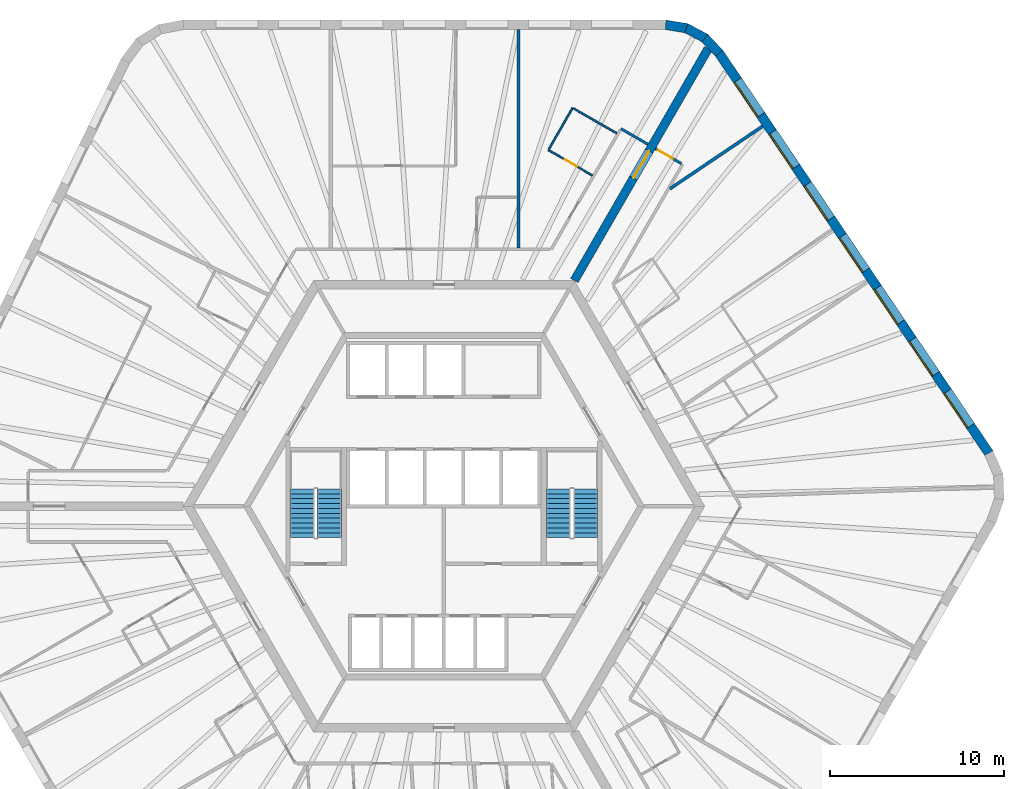
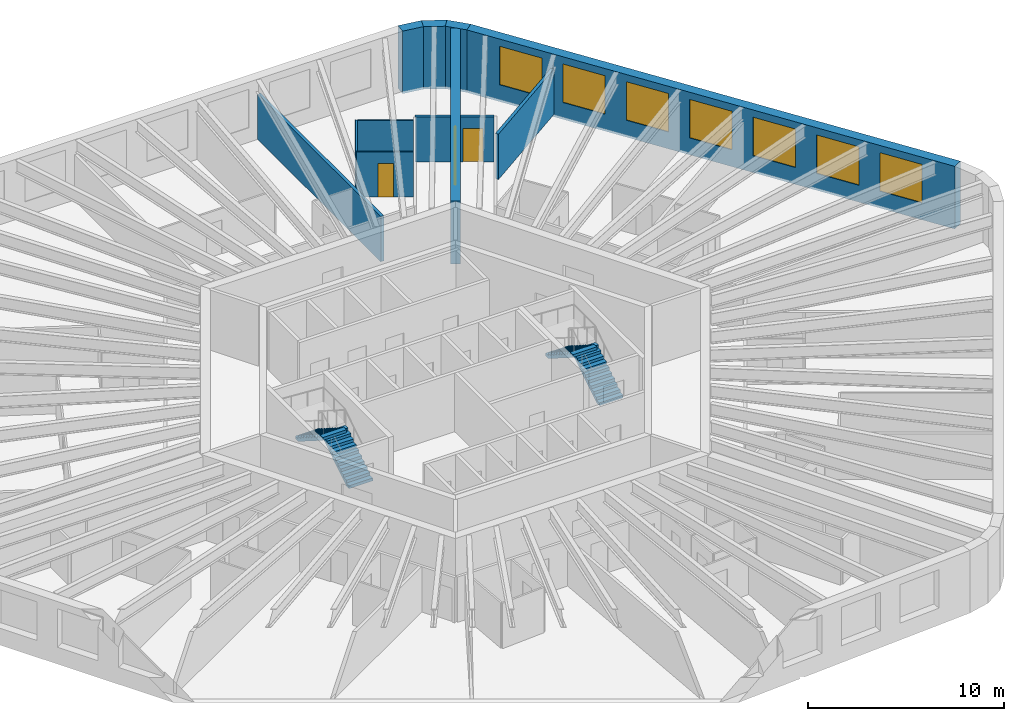
# One storey, part 9 of 10: 12 walls, 7 windows, 4 stair flights, 3 doors, 10 openings, 2 elements without a shape of their own.
"""IFC4 building model written with IfcOpenShell, lengths in metres."""

from ifc_helpers import new_model, si_unit, direction, frame, frame_2d, origin, place, context, subcontext, project, spatial, polyline, rectangle, outline, extrude, material, layer, layer_set, type_object, element, fill, aggregate, save


model = new_model("IFC4")

# Units and contexts
model_context = context("Model", 3, precision=1e-05, world=origin(), true_north=direction((0.0, 1.0)))
body_context = subcontext(model_context, "Body", "Model", "MODEL_VIEW")
ifc_project = project(units=[si_unit("LENGTHUNIT", "METRE"), si_unit("AREAUNIT", "SQUARE_METRE"), si_unit("VOLUMEUNIT", "CUBIC_METRE"), si_unit("PLANEANGLEUNIT", "RADIAN"), si_unit("MASSUNIT", "GRAM", prefix="KILO")], contexts=[model_context])

# Site, building, storey
site_placement = place(None, origin())
site = spatial("IfcSite", under=ifc_project, at=site_placement, CompositionType="ELEMENT")
building_placement = place(site_placement, origin())
building = spatial("IfcBuilding", under=site, at=building_placement, Name="Tarnside Tower", CompositionType="ELEMENT")
storey_placement = place(building_placement, frame((0.0, 0.0, 160.5)))
storey = spatial("IfcBuildingStorey", under=building, at=storey_placement, Name="L37", CompositionType="ELEMENT", Elevation=160.5)

# Wall, opening, door
ifc_material_1 = material(Name="Gypsum board partition on steel studs", Category="steel")
ifc_layer_1 = layer(ifc_material_1, 0.10009765625)
ifc_layer_set_1 = layer_set([ifc_layer_1], Name="Bathroom wall 100")
wall_type_1 = type_object("IfcWallType", Name="Bathroom wall 100", PredefinedType="PARTITIONING", material=ifc_layer_set_1)
wall_1_placement = place(storey_placement, frame((8.546142578125, 19.052490234375, 0.0), z_axis=(0.0, 0.0, 1.0), x_axis=(-0.866046596414, 0.499963291492, 0.0)))
wall_1 = element("IfcWall", 1, at=wall_1_placement, inside=storey, type_object=wall_type_1, Name="Bathroom wall 11048", PredefinedType="PARTITIONING", context=body_context, shape_type="SweptSolid", body=[
    extrude(rectangle(XDim=2.925048828125, YDim=0.10009765625, at=frame_2d((1.46240234375, 0.0))), origin(), (0.0, 0.0, 1.0), 2.823486328125),
])
opening_1_placement = place(wall_1_placement, frame((1.02490234375, 0.0, 0.0)))
opening_1 = element("IfcOpeningElement", 2, at=opening_1_placement, cuts=wall_1, Name="Opening D-B1", PredefinedType="OPENING", context=body_context, shape_type="SweptSolid", body=[
    extrude(rectangle(XDim=0.800048828125, YDim=2.10009765625, at=frame_2d((0.39990234375, 1.050048828125))), frame((0.0, 0.06005859375, 0.0), z_axis=(0.0, -1.0, 0.0), x_axis=(1.0, 0.0, 0.0)), (0.0, 0.0, 1.0), 0.1201171875),
])
ifc_material_2 = material(Name="Timber door leaf", Category="wood")
door_type_1 = type_object("IfcDoorType", Name="Bathroom door 800", OperationType="NOTDEFINED", PredefinedType="DOOR", material=ifc_material_2)
door_1_placement = place(opening_1_placement, origin())
door_1 = element("IfcDoor", 3, at=door_1_placement, inside=storey, type_object=door_type_1, Name="Bathroom door 11002", OperationType="SINGLE_SWING_RIGHT", OverallHeight=2.10009765625, OverallWidth=0.800048828125, PredefinedType="DOOR", context=body_context, shape_type="SweptSolid", body=[
    extrude(rectangle(XDim=0.800048828125, YDim=2.10009765625, at=frame_2d((0.39990234375, 1.050048828125))), frame((0.0, 0.02490234375, 0.0), z_axis=(0.0, -1.0, 0.0), x_axis=(1.0, 0.0, 0.0)), (0.0, 0.0, 1.0), 0.050048828125),
])
fill(opening_1, door_1)

# Walls
wall_2_placement = place(storey_placement, frame((6.0380859375, 20.55810546875, 0.0), z_axis=(0.0, 0.0, 1.0), x_axis=(0.499996545922, 0.866027397988, 0.0)))
element("IfcWall", 4, at=wall_2_placement, inside=storey, type_object=wall_type_1, Name="Bathroom wall 11049", PredefinedType="PARTITIONING", context=body_context, shape_type="SweptSolid", body=[
    extrude(rectangle(XDim=2.75, YDim=0.10009765625, at=frame_2d((1.375, 0.0))), origin(), (0.0, 0.0, 1.0), 2.823486328125),
])
wall_3_placement = place(storey_placement, frame((7.456298828125, 22.914794921875, 0.0), z_axis=(0.0, 0.0, 1.0), x_axis=(0.866018712932, -0.500011588718, 0.0)))
element("IfcWall", 5, at=wall_3_placement, inside=storey, type_object=wall_type_1, Name="Bathroom wall 11050", PredefinedType="PARTITIONING", context=body_context, shape_type="SweptSolid", body=[
    extrude(rectangle(XDim=2.875, YDim=0.10009765625, at=frame_2d((1.4375, 0.0))), origin(), (0.0, 0.0, 1.0), 2.823486328125),
])

# Wall, opening, door
ifc_material_3 = material(Name="Concrete C70/85", Category="concrete")
ifc_layer_2 = layer(ifc_material_3, 0.5)
ifc_layer_set_2 = layer_set([ifc_layer_2], Name="Core wall Z2 500 C70/85")
wall_type_2 = type_object("IfcWallType", Name="Core wall Z2 500 C70/85", PredefinedType="SHEAR", material=ifc_layer_set_2)
wall_4_placement = place(storey_placement, frame((7.505615234375, 13.0, -0.14990234375), z_axis=(0.0, 0.0, 1.0), x_axis=(0.499988271576, 0.866032175087, 0.0)))
wall_4 = element("IfcWall", 6, at=wall_4_placement, inside=storey, type_object=wall_type_2, Name="L37 spine wall 1", PredefinedType="SHEAR", context=body_context, shape_type="SweptSolid", body=[
    extrude(rectangle(XDim=15.423583984375, YDim=0.5, at=frame_2d((7.7119140625, 0.0))), origin(), (0.0, 0.0, 1.0), 3.89990234375),
])
opening_2_placement = place(wall_4_placement, frame((6.811767578125, 0.0, 0.14990234375)))
opening_2 = element("IfcOpeningElement", 7, at=opening_2_placement, cuts=wall_4, Name="Opening CD-SPN", PredefinedType="OPENING", context=body_context, shape_type="SweptSolid", body=[
    extrude(rectangle(XDim=1.800048828125, YDim=2.39990234375, at=frame_2d((0.89990234375, 1.199951171875))), frame((0.0, 0.260009765625, 0.0), z_axis=(0.0, -1.0, 0.0), x_axis=(1.0, 0.0, 0.0)), (0.0, 0.0, 1.0), 0.52001953125),
])
ifc_material_4 = material(Name="Steel fire door", Category="steel")
door_type_2 = type_object("IfcDoorType", Name="Spine passage double door FD60 1800x2400", OperationType="NOTDEFINED", PredefinedType="DOOR", material=ifc_material_4)
door_2_placement = place(opening_2_placement, origin())
door_2 = element("IfcDoor", 8, at=door_2_placement, inside=storey, type_object=door_type_2, Name="L37 spine passage door 1", OperationType="DOUBLE_DOOR_SINGLE_SWING", OverallHeight=2.39990234375, OverallWidth=1.800048828125, PredefinedType="DOOR", context=body_context, shape_type="SweptSolid", body=[
    extrude(rectangle(XDim=1.800048828125, YDim=2.39990234375, at=frame_2d((0.89990234375, 1.199951171875))), frame((0.0, 0.02490234375, 0.0), z_axis=(0.0, -1.0, 0.0), x_axis=(1.0, 0.0, 0.0)), (0.0, 0.0, 1.0), 0.050048828125),
])
fill(opening_2, door_2)

# Wall
ifc_layer_3 = layer(ifc_material_1, 0.14990234375)
ifc_layer_set_3 = layer_set([ifc_layer_3], Name="Corridor wall 150 EI 60")
wall_type_3 = type_object("IfcWallType", Name="Corridor wall 150 EI 60", PredefinedType="PARTITIONING", material=ifc_layer_set_3)
wall_5_placement = place(storey_placement, frame((11.744873046875, 20.8427734375, 0.0), z_axis=(0.0, 0.0, 1.0), x_axis=(-0.865989075817, 0.500062916607, 0.0)))
element("IfcWall", 9, at=wall_5_placement, inside=storey, type_object=wall_type_3, Name="Corridor wall 11003", PredefinedType="PARTITIONING", context=body_context, shape_type="SweptSolid", body=[
    extrude(rectangle(XDim=1.800048828125, YDim=0.14990234375, at=frame_2d((0.89990234375, 0.0))), origin(), (0.0, 0.0, 1.0), 2.823486328125),
])

# Wall, opening, door
wall_6_placement = place(storey_placement, frame((13.671875, 19.73046875, 0.0), z_axis=(0.0, 0.0, 1.0), x_axis=(-0.866074815912, 0.499914405916, 0.0)))
wall_6 = element("IfcWall", 10, at=wall_6_placement, inside=storey, type_object=wall_type_3, Name="Corridor wall 11047", PredefinedType="PARTITIONING", context=body_context, shape_type="SweptSolid", body=[
    extrude(rectangle(XDim=1.724853515625, YDim=0.14990234375, at=frame_2d((0.8623046875, 0.0))), origin(), (0.0, 0.0, 1.0), 2.823486328125),
])
opening_3_placement = place(wall_6_placement, frame((0.574951171875, 0.0, 0.0)))
opening_3 = element("IfcOpeningElement", 11, at=opening_3_placement, cuts=wall_6, Name="Opening D-E1", PredefinedType="OPENING", context=body_context, shape_type="SweptSolid", body=[
    extrude(rectangle(XDim=1.0, YDim=2.10009765625, at=frame_2d((0.5, 1.050048828125))), frame((0.0, 0.0849609375, 0.0), z_axis=(0.0, -1.0, 0.0), x_axis=(1.0, 0.0, 0.0)), (0.0, 0.0, 1.0), 0.169921875),
])
door_type_3 = type_object("IfcDoorType", Name="Unit entrance door 1000 FD30S", OperationType="NOTDEFINED", PredefinedType="DOOR", material=ifc_material_2)
door_3_placement = place(opening_3_placement, origin())
door_3 = element("IfcDoor", 12, at=door_3_placement, inside=storey, type_object=door_type_3, Name="Unit door 11037", OperationType="SINGLE_SWING_LEFT", OverallHeight=2.10009765625, OverallWidth=1.0, PredefinedType="DOOR", context=body_context, shape_type="SweptSolid", body=[
    extrude(rectangle(XDim=1.0, YDim=2.10009765625, at=frame_2d((0.5, 1.050048828125))), frame((0.0, 0.02490234375, 0.0), z_axis=(0.0, -1.0, 0.0), x_axis=(1.0, 0.0, 0.0)), (0.0, 0.0, 1.0), 0.050048828125),
])
fill(opening_3, door_3)

# Walls
ifc_layer_4 = layer(ifc_material_1, 0.179931640625)
ifc_layer_set_4 = layer_set([ifc_layer_4], Name="Demising wall 180 EI 60")
wall_type_4 = type_object("IfcWallType", Name="Demising wall 180 EI 60", PredefinedType="PARTITIONING", material=ifc_layer_set_4)
wall_7_placement = place(storey_placement, frame((4.2822265625, 27.449951171875, 0.0), z_axis=(0.0, 0.0, 1.0), x_axis=(0.0, -1.0, 0.0)))
element("IfcWall", 13, at=wall_7_placement, inside=storey, type_object=wall_type_4, Name="Demising wall 11051", PredefinedType="PARTITIONING", context=body_context, shape_type="SweptSolid", body=[
    extrude(rectangle(XDim=12.574951171875, YDim=0.179931640625, at=frame_2d((6.28759765625, 0.0))), origin(), (0.0, 0.0, 1.0), 2.823486328125),
])
wall_8_placement = place(storey_placement, frame((18.349609375, 21.88427734375, 0.0), z_axis=(0.0, 0.0, 1.0), x_axis=(-0.829047205772, -0.559178621374, 0.0)))
element("IfcWall", 14, at=wall_8_placement, inside=storey, type_object=wall_type_4, Name="Demising wall 11119", PredefinedType="PARTITIONING", context=body_context, shape_type="SweptSolid", body=[
    extrude(rectangle(XDim=6.442138671875, YDim=0.179931640625, at=frame_2d((3.22119140625, 0.0))), origin(), (0.0, 0.0, 1.0), 2.823486328125),
])

# Wall, openings, windows
ifc_material_5 = material(Name="Facing brick", Category="masonry")
ifc_layer_5 = layer(ifc_material_5, 0.10205078125)
ifc_material_6 = material(Name="Concrete C60/75 precast", Category="concrete")
ifc_layer_6 = layer(ifc_material_6, 0.347900390625)
ifc_material_7 = material(Name="Mineral wool insulation")
ifc_layer_7 = layer(ifc_material_7, 0.10009765625)
ifc_layer_set_5 = layer_set([ifc_layer_5, ifc_layer_6, ifc_layer_7], Name="Tube wall 550 brick faced")
wall_type_5 = type_object("IfcWallType", Name="Tube wall 550 brick faced", PredefinedType="SOLIDWALL", material=ifc_layer_set_5)
wall_9_placement = place(storey_placement, frame((31.37109375, 3.070556640625, -0.14990234375), z_axis=(0.0, 0.0, 1.0), x_axis=(-0.559189891278, 0.829039604297, 0.0)))
wall_9 = element("IfcWall", 15, at=wall_9_placement, inside=storey, type_object=wall_type_5, Name="Tube wall L37 F6 flush 20", PredefinedType="SOLIDWALL", context=body_context, shape_type="SweptSolid", body=[
    extrude(outline(polyline([(-0.025634765625, -0.27490234375), (27.780517578125, -0.27490234375), (27.735595703125, 0.27490234375), (0.025634765625, 0.27490234375), (-0.025634765625, -0.27490234375)])), origin(), (0.0, 0.0, 1.0), 3.89990234375),
])
opening_4_placement = place(wall_9_placement, frame((1.87890625, 0.0, 1.050048828125)))
opening_4 = element("IfcOpeningElement", 16, at=opening_4_placement, cuts=wall_9, Name="Opening WH", PredefinedType="OPENING", context=body_context, shape_type="SweptSolid", body=[
    extrude(rectangle(XDim=2.39990234375, YDim=2.39990234375, at=frame_2d((1.199951171875, 1.199951171875))), frame((0.0, 0.28515625, 0.0), z_axis=(0.0, -1.0, 0.0), x_axis=(1.0, 0.0, 0.0)), (0.0, 0.0, 1.0), 0.570068359375),
])
opening_5_placement = place(wall_9_placement, frame((5.47900390625, 0.0, 1.050048828125)))
opening_5 = element("IfcOpeningElement", 17, at=opening_5_placement, cuts=wall_9, Name="Opening WH", PredefinedType="OPENING", context=body_context, shape_type="SweptSolid", body=[
    extrude(rectangle(XDim=2.39990234375, YDim=2.39990234375, at=frame_2d((1.199951171875, 1.199951171875))), frame((0.0, 0.28515625, 0.0), z_axis=(0.0, -1.0, 0.0), x_axis=(1.0, 0.0, 0.0)), (0.0, 0.0, 1.0), 0.570068359375),
])
opening_6_placement = place(wall_9_placement, frame((9.078857421875, 0.0, 1.050048828125)))
opening_6 = element("IfcOpeningElement", 18, at=opening_6_placement, cuts=wall_9, Name="Opening WH", PredefinedType="OPENING", context=body_context, shape_type="SweptSolid", body=[
    extrude(rectangle(XDim=2.39990234375, YDim=2.39990234375, at=frame_2d((1.199951171875, 1.199951171875))), frame((0.0, 0.28515625, 0.0), z_axis=(0.0, -1.0, 0.0), x_axis=(1.0, 0.0, 0.0)), (0.0, 0.0, 1.0), 0.570068359375),
])
opening_7_placement = place(wall_9_placement, frame((12.678955078125, 0.0, 1.050048828125)))
opening_7 = element("IfcOpeningElement", 19, at=opening_7_placement, cuts=wall_9, Name="Opening WH", PredefinedType="OPENING", context=body_context, shape_type="SweptSolid", body=[
    extrude(rectangle(XDim=2.39990234375, YDim=2.39990234375, at=frame_2d((1.199951171875, 1.199951171875))), frame((0.0, 0.28515625, 0.0), z_axis=(0.0, -1.0, 0.0), x_axis=(1.0, 0.0, 0.0)), (0.0, 0.0, 1.0), 0.570068359375),
])
opening_8_placement = place(wall_9_placement, frame((16.27880859375, 0.0, 1.050048828125)))
opening_8 = element("IfcOpeningElement", 20, at=opening_8_placement, cuts=wall_9, Name="Opening WH", PredefinedType="OPENING", context=body_context, shape_type="SweptSolid", body=[
    extrude(rectangle(XDim=2.39990234375, YDim=2.39990234375, at=frame_2d((1.199951171875, 1.199951171875))), frame((0.0, 0.28515625, 0.0), z_axis=(0.0, -1.0, 0.0), x_axis=(1.0, 0.0, 0.0)), (0.0, 0.0, 1.0), 0.570068359375),
])
opening_9_placement = place(wall_9_placement, frame((19.87890625, 0.0, 1.050048828125)))
opening_9 = element("IfcOpeningElement", 21, at=opening_9_placement, cuts=wall_9, Name="Opening WH", PredefinedType="OPENING", context=body_context, shape_type="SweptSolid", body=[
    extrude(rectangle(XDim=2.39990234375, YDim=2.39990234375, at=frame_2d((1.199951171875, 1.199951171875))), frame((0.0, 0.28515625, 0.0), z_axis=(0.0, -1.0, 0.0), x_axis=(1.0, 0.0, 0.0)), (0.0, 0.0, 1.0), 0.570068359375),
])
opening_10_placement = place(wall_9_placement, frame((23.47900390625, 0.0, 1.050048828125)))
opening_10 = element("IfcOpeningElement", 22, at=opening_10_placement, cuts=wall_9, Name="Opening WH", PredefinedType="OPENING", context=body_context, shape_type="SweptSolid", body=[
    extrude(rectangle(XDim=2.39990234375, YDim=2.39990234375, at=frame_2d((1.199951171875, 1.199951171875))), frame((0.0, 0.28515625, 0.0), z_axis=(0.0, -1.0, 0.0), x_axis=(1.0, 0.0, 0.0)), (0.0, 0.0, 1.0), 0.570068359375),
])
ifc_material_8 = material(Name="Aluminium-framed double glazing", Category="aluminium")
window_type = type_object("IfcWindowType", Name="Hotel window 2400 x 2400", PartitioningType="DOUBLE_PANEL_VERTICAL", PredefinedType="WINDOW", material=ifc_material_8)
window_1_placement = place(opening_4_placement, frame((0.0, 0.205078125, 0.0)))
window_1 = element("IfcWindow", 23, at=window_1_placement, inside=storey, type_object=window_type, Name="E.WN.L37.F6.00", OverallHeight=2.39990234375, OverallWidth=2.39990234375, PartitioningType="DOUBLE_PANEL_VERTICAL", PredefinedType="WINDOW", context=body_context, shape_type="SweptSolid", body=[
    extrude(rectangle(XDim=2.39990234375, YDim=2.39990234375, at=frame_2d((1.199951171875, 1.199951171875))), frame((0.0, 0.030029296875, 0.0), z_axis=(0.0, -1.0, 0.0), x_axis=(1.0, 0.0, 0.0)), (0.0, 0.0, 1.0), 0.06005859375),
])
fill(opening_4, window_1)
window_2_placement = place(opening_5_placement, frame((0.0, 0.205078125, 0.0)))
window_2 = element("IfcWindow", 24, at=window_2_placement, inside=storey, type_object=window_type, Name="E.WN.L37.F6.01", OverallHeight=2.39990234375, OverallWidth=2.39990234375, PartitioningType="DOUBLE_PANEL_VERTICAL", PredefinedType="WINDOW", context=body_context, shape_type="SweptSolid", body=[
    extrude(rectangle(XDim=2.39990234375, YDim=2.39990234375, at=frame_2d((1.199951171875, 1.199951171875))), frame((0.0, 0.030029296875, 0.0), z_axis=(0.0, -1.0, 0.0), x_axis=(1.0, 0.0, 0.0)), (0.0, 0.0, 1.0), 0.06005859375),
])
fill(opening_5, window_2)
window_3_placement = place(opening_6_placement, frame((0.0, 0.205078125, 0.0)))
window_3 = element("IfcWindow", 25, at=window_3_placement, inside=storey, type_object=window_type, Name="E.WN.L37.F6.02", OverallHeight=2.39990234375, OverallWidth=2.39990234375, PartitioningType="DOUBLE_PANEL_VERTICAL", PredefinedType="WINDOW", context=body_context, shape_type="SweptSolid", body=[
    extrude(rectangle(XDim=2.39990234375, YDim=2.39990234375, at=frame_2d((1.199951171875, 1.199951171875))), frame((0.0, 0.030029296875, 0.0), z_axis=(0.0, -1.0, 0.0), x_axis=(1.0, 0.0, 0.0)), (0.0, 0.0, 1.0), 0.06005859375),
])
fill(opening_6, window_3)
window_4_placement = place(opening_7_placement, frame((0.0, 0.205078125, 0.0)))
window_4 = element("IfcWindow", 26, at=window_4_placement, inside=storey, type_object=window_type, Name="E.WN.L37.F6.03", OverallHeight=2.39990234375, OverallWidth=2.39990234375, PartitioningType="DOUBLE_PANEL_VERTICAL", PredefinedType="WINDOW", context=body_context, shape_type="SweptSolid", body=[
    extrude(rectangle(XDim=2.39990234375, YDim=2.39990234375, at=frame_2d((1.199951171875, 1.199951171875))), frame((0.0, 0.030029296875, 0.0), z_axis=(0.0, -1.0, 0.0), x_axis=(1.0, 0.0, 0.0)), (0.0, 0.0, 1.0), 0.06005859375),
])
fill(opening_7, window_4)
window_5_placement = place(opening_8_placement, frame((0.0, 0.205078125, 0.0)))
window_5 = element("IfcWindow", 27, at=window_5_placement, inside=storey, type_object=window_type, Name="E.WN.L37.F6.04", OverallHeight=2.39990234375, OverallWidth=2.39990234375, PartitioningType="DOUBLE_PANEL_VERTICAL", PredefinedType="WINDOW", context=body_context, shape_type="SweptSolid", body=[
    extrude(rectangle(XDim=2.39990234375, YDim=2.39990234375, at=frame_2d((1.199951171875, 1.199951171875))), frame((0.0, 0.030029296875, 0.0), z_axis=(0.0, -1.0, 0.0), x_axis=(1.0, 0.0, 0.0)), (0.0, 0.0, 1.0), 0.06005859375),
])
fill(opening_8, window_5)
window_6_placement = place(opening_9_placement, frame((0.0, 0.205078125, 0.0)))
window_6 = element("IfcWindow", 28, at=window_6_placement, inside=storey, type_object=window_type, Name="E.WN.L37.F6.05", OverallHeight=2.39990234375, OverallWidth=2.39990234375, PartitioningType="DOUBLE_PANEL_VERTICAL", PredefinedType="WINDOW", context=body_context, shape_type="SweptSolid", body=[
    extrude(rectangle(XDim=2.39990234375, YDim=2.39990234375, at=frame_2d((1.199951171875, 1.199951171875))), frame((0.0, 0.030029296875, 0.0), z_axis=(0.0, -1.0, 0.0), x_axis=(1.0, 0.0, 0.0)), (0.0, 0.0, 1.0), 0.06005859375),
])
fill(opening_9, window_6)
window_7_placement = place(opening_10_placement, frame((0.0, 0.205078125, 0.0)))
window_7 = element("IfcWindow", 29, at=window_7_placement, inside=storey, type_object=window_type, Name="E.WN.L37.F6.06", OverallHeight=2.39990234375, OverallWidth=2.39990234375, PartitioningType="DOUBLE_PANEL_VERTICAL", PredefinedType="WINDOW", context=body_context, shape_type="SweptSolid", body=[
    extrude(rectangle(XDim=2.39990234375, YDim=2.39990234375, at=frame_2d((1.199951171875, 1.199951171875))), frame((0.0, 0.030029296875, 0.0), z_axis=(0.0, -1.0, 0.0), x_axis=(1.0, 0.0, 0.0)), (0.0, 0.0, 1.0), 0.06005859375),
])
fill(opening_10, window_7)

# Walls
wall_10_placement = place(storey_placement, frame((15.84912109375, 26.0830078125, -0.14990234375), z_axis=(0.0, 0.0, 1.0), x_axis=(-0.686196220404, 0.727416488061, 0.0)))
element("IfcWall", 30, at=wall_10_placement, inside=storey, type_object=wall_type_5, Name="Tube wall L37 F6 chord 21", PredefinedType="SOLIDWALL", context=body_context, shape_type="SweptSolid", body=[
    extrude(outline(polyline([(-0.0224609375, -0.27490234375), (1.25341796875, -0.27490234375), (1.1630859375, 0.27490234375), (0.0224609375, 0.27490234375), (-0.0224609375, -0.27490234375)])), origin(), (0.0, 0.0, 1.0), 3.89990234375),
])
wall_11_placement = place(storey_placement, frame((15.02001953125, 26.9619140625, -0.14990234375), z_axis=(0.0, 0.0, 1.0), x_axis=(-0.882950818639, 0.469465495926, 0.0)))
element("IfcWall", 31, at=wall_11_placement, inside=storey, type_object=wall_type_5, Name="Tube wall L37 F6 chord 22", PredefinedType="SOLIDWALL", context=body_context, shape_type="SweptSolid", body=[
    extrude(outline(polyline([(-0.045166015625, -0.27490234375), (1.253173828125, -0.27490234375), (1.162841796875, 0.27490234375), (0.045166015625, 0.27490234375), (-0.045166015625, -0.27490234375)])), origin(), (0.0, 0.0, 1.0), 3.89990234375),
])
wall_12_placement = place(storey_placement, frame((13.953369140625, 27.529052734375, -0.14990234375), z_axis=(0.0, 0.0, 1.0), x_axis=(-0.986751945211, 0.162236243244, 0.0)))
element("IfcWall", 32, at=wall_12_placement, inside=storey, type_object=wall_type_5, Name="Tube wall L37 F6 chord 23", PredefinedType="SOLIDWALL", context=body_context, shape_type="SweptSolid", body=[
    extrude(outline(polyline([(-0.045166015625, -0.27490234375), (1.23095703125, -0.27490234375), (1.18603515625, 0.27490234375), (0.045166015625, 0.27490234375), (-0.045166015625, -0.27490234375)])), origin(), (0.0, 0.0, 1.0), 3.89990234375),
])

# Stair, stair flights
ifc_material_9 = material(Name="Concrete C40/50", Category="concrete")
stair_type = type_object("IfcStairType", Name="Exit stair 1400 clear", PredefinedType="HALF_TURN_STAIR", material=ifc_material_9)
stair_1_placement = place(storey_placement, origin())
stair_1 = element("IfcStair", 33, at=stair_1_placement, inside=storey, type_object=stair_type, Name="L37 Exit stair 1", PredefinedType="HALF_TURN_STAIR")
stair_flight_type = type_object("IfcStairFlightType", Name="Exit stair flight 1400", PredefinedType="STRAIGHT", material=ifc_material_9)
stair_flight_1_placement = place(storey_placement, frame((8.14990234375, -1.800048828125, 0.0), z_axis=(0.0, 0.0, 1.0), x_axis=(0.0, 1.0, 0.0)))
stair_flight_1 = element("IfcStairFlight", 34, at=stair_flight_1_placement, type_object=stair_flight_type, Name="ST1 flight 1", NumberOfRisers=11, NumberOfTreads=10, PredefinedType="STRAIGHT", RiserHeight=0.177272727, TreadLength=0.28, context=body_context, shape_type="SweptSolid", body=[
    extrude(outline(polyline([(0.0, 0.0), (0.0, 0.17724609375), (0.280029296875, 0.17724609375), (0.280029296875, 0.3544921875), (0.56005859375, 0.3544921875), (0.56005859375, 0.53173828125), (0.840087890625, 0.53173828125), (0.840087890625, 0.708984375), (1.1201171875, 0.708984375), (1.1201171875, 0.886474609375), (1.39990234375, 0.886474609375), (1.39990234375, 1.063720703125), (1.679931640625, 1.063720703125), (1.679931640625, 1.240966796875), (1.9599609375, 1.240966796875), (1.9599609375, 1.418212890625), (2.239990234375, 1.418212890625), (2.239990234375, 1.595458984375), (2.52001953125, 1.595458984375), (2.52001953125, 1.772705078125), (2.800048828125, 1.772705078125), (2.800048828125, 1.949951171875), (2.800048828125, 1.59521484375), (0.2802734375, 0.0), (0.0, 0.0)])), frame((0.0, 0.699951171875, 0.0), z_axis=(0.0, -1.0, 0.0), x_axis=(1.0, 0.0, 0.0)), (0.0, 0.0, 1.0), 1.39990234375),
])
stair_flight_2_placement = place(storey_placement, frame((6.60009765625, 1.0, 1.949951171875), z_axis=(0.0, 0.0, 1.0), x_axis=(0.0, -1.0, 0.0)))
stair_flight_2 = element("IfcStairFlight", 35, at=stair_flight_2_placement, type_object=stair_flight_type, Name="ST1 flight 2", NumberOfRisers=11, NumberOfTreads=10, PredefinedType="STRAIGHT", RiserHeight=0.177272727, TreadLength=0.28, context=body_context, shape_type="SweptSolid", body=[
    extrude(outline(polyline([(0.0, 0.0), (0.0, 0.17724609375), (0.280029296875, 0.17724609375), (0.280029296875, 0.3544921875), (0.56005859375, 0.3544921875), (0.56005859375, 0.53173828125), (0.840087890625, 0.53173828125), (0.840087890625, 0.708984375), (1.1201171875, 0.708984375), (1.1201171875, 0.886474609375), (1.39990234375, 0.886474609375), (1.39990234375, 1.063720703125), (1.679931640625, 1.063720703125), (1.679931640625, 1.240966796875), (1.9599609375, 1.240966796875), (1.9599609375, 1.418212890625), (2.239990234375, 1.418212890625), (2.239990234375, 1.595458984375), (2.52001953125, 1.595458984375), (2.52001953125, 1.772705078125), (2.800048828125, 1.772705078125), (2.800048828125, 1.949951171875), (2.800048828125, 1.59521484375), (0.2802734375, 0.0), (0.0, 0.0)])), frame((0.0, 0.699951171875, 0.0), z_axis=(0.0, -1.0, 0.0), x_axis=(1.0, 0.0, 0.0)), (0.0, 0.0, 1.0), 1.39990234375),
])
aggregate(stair_1, [stair_flight_1, stair_flight_2])

stair_2_placement = place(storey_placement, origin())
stair_2 = element("IfcStair", 36, at=stair_2_placement, inside=storey, type_object=stair_type, Name="L37 Exit stair 2", PredefinedType="HALF_TURN_STAIR")
stair_flight_3_placement = place(storey_placement, frame((-6.60009765625, -1.800048828125, 0.0), z_axis=(0.0, 0.0, 1.0), x_axis=(0.0, 1.0, 0.0)))
stair_flight_3 = element("IfcStairFlight", 37, at=stair_flight_3_placement, type_object=stair_flight_type, Name="ST2 flight 1", NumberOfRisers=11, NumberOfTreads=10, PredefinedType="STRAIGHT", RiserHeight=0.177272727, TreadLength=0.28, context=body_context, shape_type="SweptSolid", body=[
    extrude(outline(polyline([(0.0, 0.0), (0.0, 0.17724609375), (0.280029296875, 0.17724609375), (0.280029296875, 0.3544921875), (0.56005859375, 0.3544921875), (0.56005859375, 0.53173828125), (0.840087890625, 0.53173828125), (0.840087890625, 0.708984375), (1.1201171875, 0.708984375), (1.1201171875, 0.886474609375), (1.39990234375, 0.886474609375), (1.39990234375, 1.063720703125), (1.679931640625, 1.063720703125), (1.679931640625, 1.240966796875), (1.9599609375, 1.240966796875), (1.9599609375, 1.418212890625), (2.239990234375, 1.418212890625), (2.239990234375, 1.595458984375), (2.52001953125, 1.595458984375), (2.52001953125, 1.772705078125), (2.800048828125, 1.772705078125), (2.800048828125, 1.949951171875), (2.800048828125, 1.59521484375), (0.2802734375, 0.0), (0.0, 0.0)])), frame((0.0, 0.699951171875, 0.0), z_axis=(0.0, -1.0, 0.0), x_axis=(1.0, 0.0, 0.0)), (0.0, 0.0, 1.0), 1.39990234375),
])
stair_flight_4_placement = place(storey_placement, frame((-8.14990234375, 1.0, 1.949951171875), z_axis=(0.0, 0.0, 1.0), x_axis=(0.0, -1.0, 0.0)))
stair_flight_4 = element("IfcStairFlight", 38, at=stair_flight_4_placement, type_object=stair_flight_type, Name="ST2 flight 2", NumberOfRisers=11, NumberOfTreads=10, PredefinedType="STRAIGHT", RiserHeight=0.177272727, TreadLength=0.28, context=body_context, shape_type="SweptSolid", body=[
    extrude(outline(polyline([(0.0, 0.0), (0.0, 0.17724609375), (0.280029296875, 0.17724609375), (0.280029296875, 0.3544921875), (0.56005859375, 0.3544921875), (0.56005859375, 0.53173828125), (0.840087890625, 0.53173828125), (0.840087890625, 0.708984375), (1.1201171875, 0.708984375), (1.1201171875, 0.886474609375), (1.39990234375, 0.886474609375), (1.39990234375, 1.063720703125), (1.679931640625, 1.063720703125), (1.679931640625, 1.240966796875), (1.9599609375, 1.240966796875), (1.9599609375, 1.418212890625), (2.239990234375, 1.418212890625), (2.239990234375, 1.595458984375), (2.52001953125, 1.595458984375), (2.52001953125, 1.772705078125), (2.800048828125, 1.772705078125), (2.800048828125, 1.949951171875), (2.800048828125, 1.59521484375), (0.2802734375, 0.0), (0.0, 0.0)])), frame((0.0, 0.699951171875, 0.0), z_axis=(0.0, -1.0, 0.0), x_axis=(1.0, 0.0, 0.0)), (0.0, 0.0, 1.0), 1.39990234375),
])
aggregate(stair_2, [stair_flight_3, stair_flight_4])

save(model, "model.ifc")
